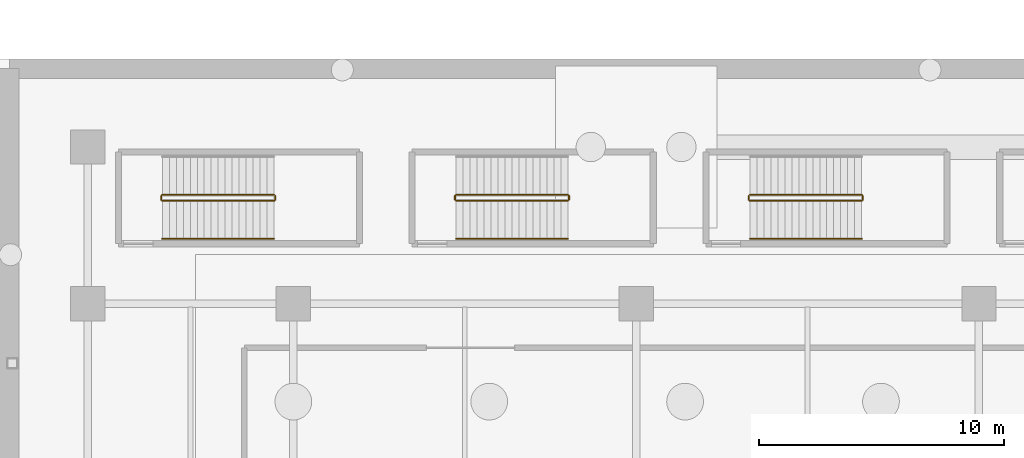
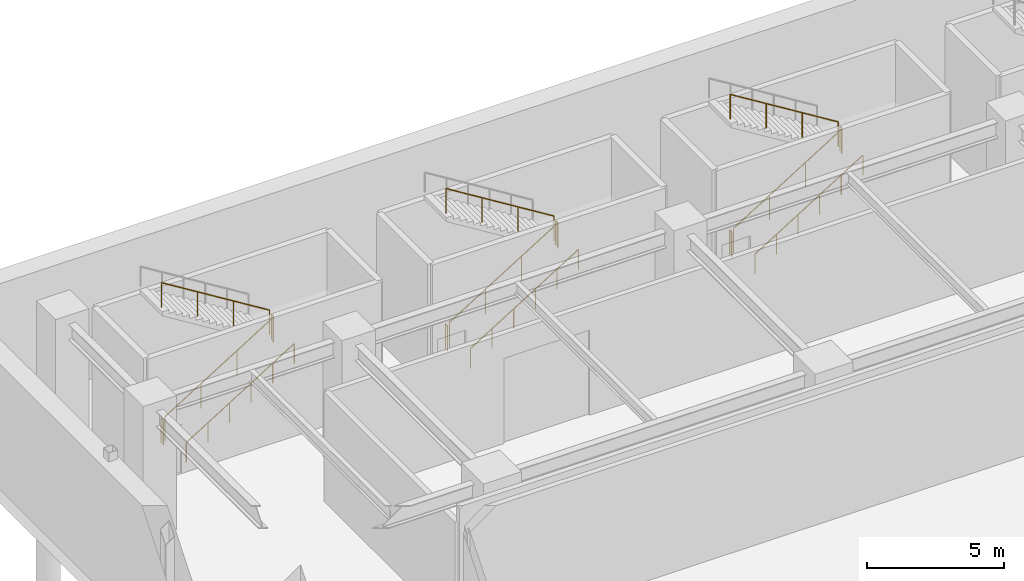
# One storey, part 34 of 37: 15 railings.
"""IFC4 building model written with IfcOpenShell, lengths in metres."""

from ifc_helpers import new_model, si_unit, direction, frame, origin, origin_2d, place, context, subcontext, project, spatial, circle, extrude, material, type_object, element, save


model = new_model("IFC4")

# Units and contexts
model_context = context("Model", 3, precision=1e-05, world=origin(), true_north=direction((0.0, 1.0)))
body_context = subcontext(model_context, "Body", "Model", "MODEL_VIEW")
ifc_project = project(units=[si_unit("LENGTHUNIT", "METRE"), si_unit("AREAUNIT", "SQUARE_METRE"), si_unit("VOLUMEUNIT", "CUBIC_METRE"), si_unit("PLANEANGLEUNIT", "RADIAN"), si_unit("MASSUNIT", "GRAM", prefix="KILO")], contexts=[model_context])

# Site, building, storey
site_placement = place(None, origin())
site = spatial("IfcSite", under=ifc_project, at=site_placement, CompositionType="ELEMENT")
building_placement = place(site_placement, origin())
building = spatial("IfcBuilding", under=site, at=building_placement, Name="Narakoshi Arena Tower", CompositionType="ELEMENT")
storey_placement = place(building_placement, frame((0.0, 0.0, -6.0)))
storey = spatial("IfcBuildingStorey", under=building, at=storey_placement, Name="B01", CompositionType="ELEMENT", Elevation=-6.0)

# Railings
ifc_material_1 = material(Name="Clear low-iron laminated structural glass", Category="glass")
railing_type_1 = type_object("IfcRailingType", Name="RL-BAL-1100", PredefinedType="BALUSTRADE", material=ifc_material_1)
railing_1_placement = place(storey_placement, frame((6.64990234375, 90.199951171875, 0.176513671875)))
element("IfcRailing", 1, at=railing_1_placement, inside=storey, type_object=railing_type_1, Name="B01 AST5 stair guard 1", PredefinedType="BALUSTRADE", context=body_context, shape_type="SweptSolid", body=[
    extrude(circle(Radius=0.02392578125, at=origin_2d()), frame((0.0, 0.0, 1.09619140625), z_axis=(0.850215668316, 0.0, 0.526434532824), x_axis=(0.0, 1.0, 0.0)), (0.0, 0.0, 1.0), 5.363525390625),
    extrude(circle(Radius=0.02099609375, at=origin_2d()), origin(), (0.0, 0.0, 1.0), 1.072021484375),
    extrude(circle(Radius=0.02099609375, at=origin_2d()), frame((1.52001953125, 0.0, 0.941162109375)), (0.0, 0.0, 1.0), 1.072021484375),
    extrude(circle(Radius=0.02099609375, at=origin_2d()), frame((3.0400390625, 0.0, 1.88232421875)), (0.0, 0.0, 1.0), 1.072021484375),
    extrude(circle(Radius=0.02099609375, at=origin_2d()), frame((4.56005859375, 0.0, 2.823486328125)), (0.0, 0.0, 1.0), 1.072021484375),
])
railing_2_placement = place(storey_placement, frame((11.260009765625, 90.25, 3.0)))
element("IfcRailing", 2, at=railing_2_placement, inside=storey, type_object=railing_type_1, Name="B01 AST5 stair guard 2", PredefinedType="BALUSTRADE", context=body_context, shape_type="SweptSolid", body=[
    extrude(circle(Radius=0.02392578125, at=origin_2d()), frame((0.0, 0.0, 1.09619140625), z_axis=(0.0, 1.0, 0.0), x_axis=(-1.0, 0.0, 0.0)), (0.0, 0.0, 1.0), 0.14990234375),
    extrude(circle(Radius=0.02099609375, at=origin_2d()), origin(), (0.0, 0.0, 1.0), 1.072021484375),
    extrude(circle(Radius=0.02099609375, at=origin_2d()), frame((0.0, 0.14990234375, 0.0)), (0.0, 0.0, 1.0), 1.072021484375),
])
railing_3_placement = place(storey_placement, frame((11.2099609375, 90.449951171875, 3.176513671875)))
element("IfcRailing", 3, at=railing_3_placement, inside=storey, type_object=railing_type_1, Name="B01 AST5 stair guard 3", PredefinedType="BALUSTRADE", context=body_context, shape_type="SweptSolid", body=[
    extrude(circle(Radius=0.02392578125, at=origin_2d()), frame((0.0, 0.0, 1.09619140625), z_axis=(-0.850215668316, 0.0, 0.526434532824), x_axis=(0.0, -1.0, 0.0)), (0.0, 0.0, 1.0), 5.363525390625),
    extrude(circle(Radius=0.02099609375, at=origin_2d()), origin(), (0.0, 0.0, 1.0), 1.072021484375),
    extrude(circle(Radius=0.02099609375, at=origin_2d()), frame((-1.52001953125, 0.0, 0.941162109375)), (0.0, 0.0, 1.0), 1.072021484375),
    extrude(circle(Radius=0.02099609375, at=origin_2d()), frame((-3.0400390625, 0.0, 1.88232421875)), (0.0, 0.0, 1.0), 1.072021484375),
    extrude(circle(Radius=0.02099609375, at=origin_2d()), frame((-4.56005859375, 0.0, 2.823486328125)), (0.0, 0.0, 1.0), 1.072021484375),
])
railing_4_placement = place(storey_placement, frame((6.60009765625, 90.25, 0.0)))
element("IfcRailing", 4, at=railing_4_placement, inside=storey, type_object=railing_type_1, Name="B01 AST5 stair guard 4", PredefinedType="BALUSTRADE", context=body_context, shape_type="SweptSolid", body=[
    extrude(circle(Radius=0.02392578125, at=origin_2d()), frame((0.0, 0.0, 1.09619140625), z_axis=(0.0, 1.0, 0.0), x_axis=(-1.0, 0.0, 0.0)), (0.0, 0.0, 1.0), 0.14990234375),
    extrude(circle(Radius=0.02099609375, at=origin_2d()), origin(), (0.0, 0.0, 1.0), 1.072021484375),
    extrude(circle(Radius=0.02099609375, at=origin_2d()), frame((0.0, 0.14990234375, 0.0)), (0.0, 0.0, 1.0), 1.072021484375),
])
railing_5_placement = place(storey_placement, frame((18.64990234375, 90.199951171875, 0.176513671875)))
element("IfcRailing", 5, at=railing_5_placement, inside=storey, type_object=railing_type_1, Name="B01 AST6 stair guard 1", PredefinedType="BALUSTRADE", context=body_context, shape_type="SweptSolid", body=[
    extrude(circle(Radius=0.02392578125, at=origin_2d()), frame((0.0, 0.0, 1.09619140625), z_axis=(0.850215668316, 0.0, 0.526434532824), x_axis=(0.0, 1.0, 0.0)), (0.0, 0.0, 1.0), 5.363525390625),
    extrude(circle(Radius=0.02099609375, at=origin_2d()), origin(), (0.0, 0.0, 1.0), 1.072021484375),
    extrude(circle(Radius=0.02099609375, at=origin_2d()), frame((1.52001953125, 0.0, 0.941162109375)), (0.0, 0.0, 1.0), 1.072021484375),
    extrude(circle(Radius=0.02099609375, at=origin_2d()), frame((3.0400390625, 0.0, 1.88232421875)), (0.0, 0.0, 1.0), 1.072021484375),
    extrude(circle(Radius=0.02099609375, at=origin_2d()), frame((4.56005859375, 0.0, 2.823486328125)), (0.0, 0.0, 1.0), 1.072021484375),
])
railing_6_placement = place(storey_placement, frame((23.260009765625, 90.25, 3.0)))
element("IfcRailing", 6, at=railing_6_placement, inside=storey, type_object=railing_type_1, Name="B01 AST6 stair guard 2", PredefinedType="BALUSTRADE", context=body_context, shape_type="SweptSolid", body=[
    extrude(circle(Radius=0.02392578125, at=origin_2d()), frame((0.0, 0.0, 1.09619140625), z_axis=(0.0, 1.0, 0.0), x_axis=(-1.0, 0.0, 0.0)), (0.0, 0.0, 1.0), 0.14990234375),
    extrude(circle(Radius=0.02099609375, at=origin_2d()), origin(), (0.0, 0.0, 1.0), 1.072021484375),
    extrude(circle(Radius=0.02099609375, at=origin_2d()), frame((0.0, 0.14990234375, 0.0)), (0.0, 0.0, 1.0), 1.072021484375),
])
railing_7_placement = place(storey_placement, frame((23.2099609375, 90.449951171875, 3.176513671875)))
element("IfcRailing", 7, at=railing_7_placement, inside=storey, type_object=railing_type_1, Name="B01 AST6 stair guard 3", PredefinedType="BALUSTRADE", context=body_context, shape_type="SweptSolid", body=[
    extrude(circle(Radius=0.02392578125, at=origin_2d()), frame((0.0, 0.0, 1.09619140625), z_axis=(-0.850215668316, 0.0, 0.526434532824), x_axis=(0.0, -1.0, 0.0)), (0.0, 0.0, 1.0), 5.363525390625),
    extrude(circle(Radius=0.02099609375, at=origin_2d()), origin(), (0.0, 0.0, 1.0), 1.072021484375),
    extrude(circle(Radius=0.02099609375, at=origin_2d()), frame((-1.52001953125, 0.0, 0.941162109375)), (0.0, 0.0, 1.0), 1.072021484375),
    extrude(circle(Radius=0.02099609375, at=origin_2d()), frame((-3.0400390625, 0.0, 1.88232421875)), (0.0, 0.0, 1.0), 1.072021484375),
    extrude(circle(Radius=0.02099609375, at=origin_2d()), frame((-4.56005859375, 0.0, 2.823486328125)), (0.0, 0.0, 1.0), 1.072021484375),
])
railing_8_placement = place(storey_placement, frame((18.60009765625, 90.25, 0.0)))
element("IfcRailing", 8, at=railing_8_placement, inside=storey, type_object=railing_type_1, Name="B01 AST6 stair guard 4", PredefinedType="BALUSTRADE", context=body_context, shape_type="SweptSolid", body=[
    extrude(circle(Radius=0.02392578125, at=origin_2d()), frame((0.0, 0.0, 1.09619140625), z_axis=(0.0, 1.0, 0.0), x_axis=(-1.0, 0.0, 0.0)), (0.0, 0.0, 1.0), 0.14990234375),
    extrude(circle(Radius=0.02099609375, at=origin_2d()), origin(), (0.0, 0.0, 1.0), 1.072021484375),
    extrude(circle(Radius=0.02099609375, at=origin_2d()), frame((0.0, 0.14990234375, 0.0)), (0.0, 0.0, 1.0), 1.072021484375),
])
railing_9_placement = place(storey_placement, frame((30.64990234375, 90.199951171875, 0.176513671875)))
element("IfcRailing", 9, at=railing_9_placement, inside=storey, type_object=railing_type_1, Name="B01 AST7 stair guard 1", PredefinedType="BALUSTRADE", context=body_context, shape_type="SweptSolid", body=[
    extrude(circle(Radius=0.02392578125, at=origin_2d()), frame((0.0, 0.0, 1.09619140625), z_axis=(0.850215668316, 0.0, 0.526434532824), x_axis=(0.0, 1.0, 0.0)), (0.0, 0.0, 1.0), 5.363525390625),
    extrude(circle(Radius=0.02099609375, at=origin_2d()), origin(), (0.0, 0.0, 1.0), 1.072021484375),
    extrude(circle(Radius=0.02099609375, at=origin_2d()), frame((1.52001953125, 0.0, 0.941162109375)), (0.0, 0.0, 1.0), 1.072021484375),
    extrude(circle(Radius=0.02099609375, at=origin_2d()), frame((3.0400390625, 0.0, 1.88232421875)), (0.0, 0.0, 1.0), 1.072021484375),
    extrude(circle(Radius=0.02099609375, at=origin_2d()), frame((4.56005859375, 0.0, 2.823486328125)), (0.0, 0.0, 1.0), 1.072021484375),
])
railing_10_placement = place(storey_placement, frame((35.260009765625, 90.25, 3.0)))
element("IfcRailing", 10, at=railing_10_placement, inside=storey, type_object=railing_type_1, Name="B01 AST7 stair guard 2", PredefinedType="BALUSTRADE", context=body_context, shape_type="SweptSolid", body=[
    extrude(circle(Radius=0.02392578125, at=origin_2d()), frame((0.0, 0.0, 1.09619140625), z_axis=(0.0, 1.0, 0.0), x_axis=(-1.0, 0.0, 0.0)), (0.0, 0.0, 1.0), 0.14990234375),
    extrude(circle(Radius=0.02099609375, at=origin_2d()), origin(), (0.0, 0.0, 1.0), 1.072021484375),
    extrude(circle(Radius=0.02099609375, at=origin_2d()), frame((0.0, 0.14990234375, 0.0)), (0.0, 0.0, 1.0), 1.072021484375),
])
railing_11_placement = place(storey_placement, frame((35.2099609375, 90.449951171875, 3.176513671875)))
element("IfcRailing", 11, at=railing_11_placement, inside=storey, type_object=railing_type_1, Name="B01 AST7 stair guard 3", PredefinedType="BALUSTRADE", context=body_context, shape_type="SweptSolid", body=[
    extrude(circle(Radius=0.02392578125, at=origin_2d()), frame((0.0, 0.0, 1.09619140625), z_axis=(-0.850215668316, 0.0, 0.526434532824), x_axis=(0.0, -1.0, 0.0)), (0.0, 0.0, 1.0), 5.363525390625),
    extrude(circle(Radius=0.02099609375, at=origin_2d()), origin(), (0.0, 0.0, 1.0), 1.072021484375),
    extrude(circle(Radius=0.02099609375, at=origin_2d()), frame((-1.52001953125, 0.0, 0.941162109375)), (0.0, 0.0, 1.0), 1.072021484375),
    extrude(circle(Radius=0.02099609375, at=origin_2d()), frame((-3.0400390625, 0.0, 1.88232421875)), (0.0, 0.0, 1.0), 1.072021484375),
    extrude(circle(Radius=0.02099609375, at=origin_2d()), frame((-4.56005859375, 0.0, 2.823486328125)), (0.0, 0.0, 1.0), 1.072021484375),
])
railing_12_placement = place(storey_placement, frame((30.60009765625, 90.25, 0.0)))
element("IfcRailing", 12, at=railing_12_placement, inside=storey, type_object=railing_type_1, Name="B01 AST7 stair guard 4", PredefinedType="BALUSTRADE", context=body_context, shape_type="SweptSolid", body=[
    extrude(circle(Radius=0.02392578125, at=origin_2d()), frame((0.0, 0.0, 1.09619140625), z_axis=(0.0, 1.0, 0.0), x_axis=(-1.0, 0.0, 0.0)), (0.0, 0.0, 1.0), 0.14990234375),
    extrude(circle(Radius=0.02099609375, at=origin_2d()), origin(), (0.0, 0.0, 1.0), 1.072021484375),
    extrude(circle(Radius=0.02099609375, at=origin_2d()), frame((0.0, 0.14990234375, 0.0)), (0.0, 0.0, 1.0), 1.072021484375),
])
ifc_material_2 = material(Name="Brushed bronze stainless steel", Category="steel")
railing_type_2 = type_object("IfcRailingType", Name="RL-HND-900", PredefinedType="HANDRAIL", material=ifc_material_2)
for number, where, name in (
    (13, (6.64990234375, 88.64990234375, 0.176513671875), "B01 AST5 stair handrail 1"),
    (14, (18.64990234375, 88.64990234375, 0.176513671875), "B01 AST6 stair handrail 1"),
    (15, (30.64990234375, 88.64990234375, 0.176513671875), "B01 AST7 stair handrail 1"),
):
    element("IfcRailing", number, at=place(storey_placement, frame(where)), inside=storey, type_object=railing_type_2, Name=name, PredefinedType="HANDRAIL", context=body_context, shape_type="SweptSolid", body=[
        extrude(circle(Radius=0.02392578125, at=origin_2d()), frame((0.0, 0.0, 0.8759765625), z_axis=(0.850215668316, 0.0, 0.526434532824), x_axis=(0.0, 1.0, 0.0)), (0.0, 0.0, 1.0), 5.363525390625),
        extrude(circle(Radius=0.02099609375, at=origin_2d()), origin(), (0.0, 0.0, 1.0), 0.851806640625),
        extrude(circle(Radius=0.02099609375, at=origin_2d()), frame((0.912109375, 0.0, 0.564697265625)), (0.0, 0.0, 1.0), 0.851806640625),
        extrude(circle(Radius=0.02099609375, at=origin_2d()), frame((1.823974609375, 0.0, 1.12939453125)), (0.0, 0.0, 1.0), 0.851806640625),
        extrude(circle(Radius=0.02099609375, at=origin_2d()), frame((2.736083984375, 0.0, 1.694091796875)), (0.0, 0.0, 1.0), 0.851806640625),
        extrude(circle(Radius=0.02099609375, at=origin_2d()), frame((3.64794921875, 0.0, 2.2587890625)), (0.0, 0.0, 1.0), 0.851806640625),
        extrude(circle(Radius=0.02099609375, at=origin_2d()), frame((4.56005859375, 0.0, 2.823486328125)), (0.0, 0.0, 1.0), 0.851806640625),
    ])

save(model, "model.ifc")
